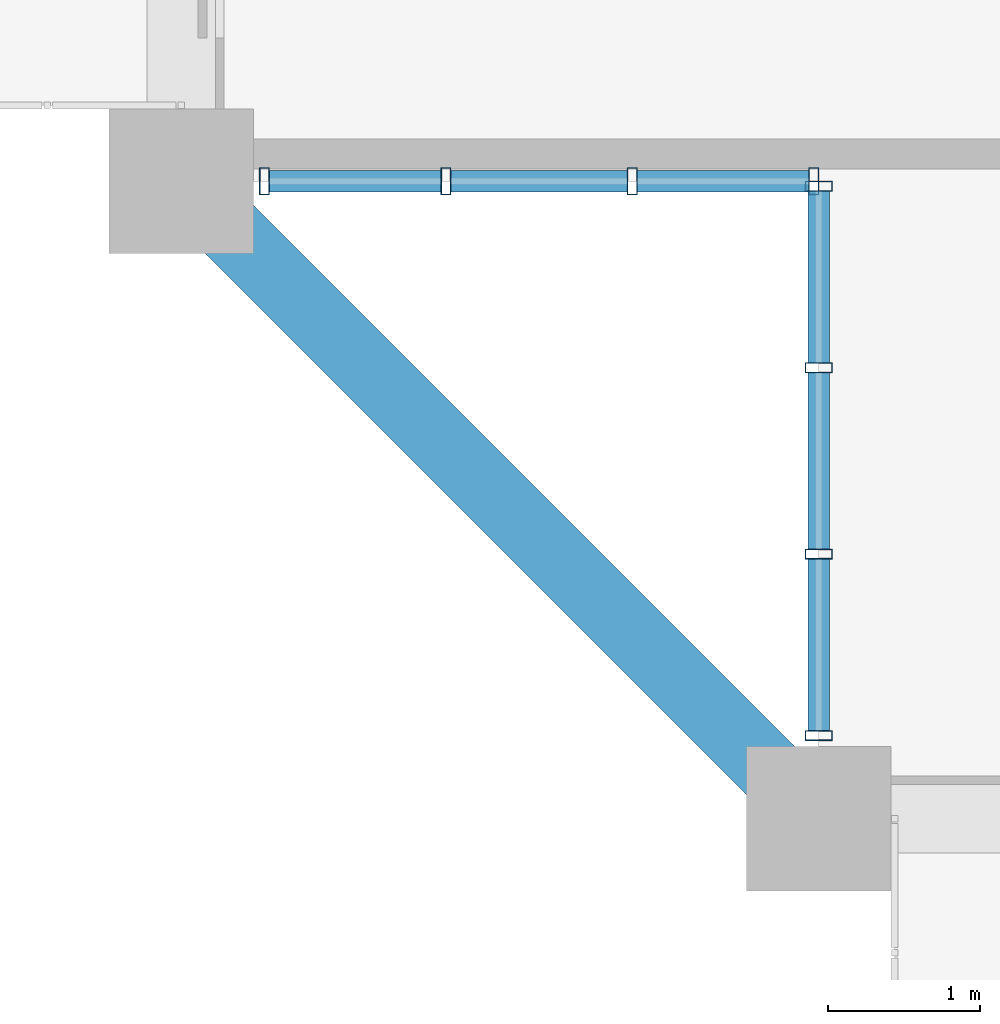
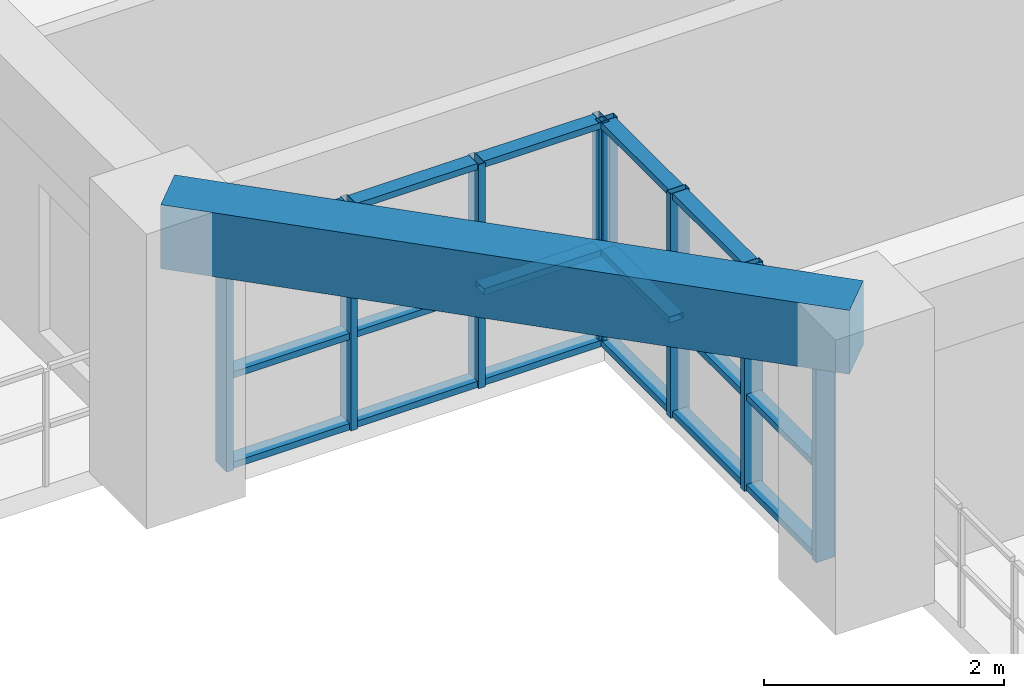
# One storey, part 2 of 26: 26 members, 1 beam, 2 elements without a shape of their own.
"""IFC4 building model written with IfcOpenShell, lengths in metres."""

from ifc_helpers import new_model, si_unit, direction, frame, origin, origin_2d, place, context, subcontext, project, spatial, rectangle, hollow_rectangle, extrude, source, transform, mapped, material, layer, layer_set, material_profile, profile_set, type_object, element, aggregate, save


model = new_model("IFC4")

# Units and contexts
model_context = context("Model", 3, precision=1e-05, world=origin(), true_north=direction((0.0, 1.0)))
body_context = subcontext(model_context, "Body", "Model", "MODEL_VIEW")
ifc_project = project(units=[si_unit("LENGTHUNIT", "METRE"), si_unit("AREAUNIT", "SQUARE_METRE"), si_unit("VOLUMEUNIT", "CUBIC_METRE"), si_unit("PLANEANGLEUNIT", "RADIAN"), si_unit("MASSUNIT", "GRAM", prefix="KILO")], contexts=[model_context])

# Site, building, storey
site_placement = place(None, origin())
site = spatial("IfcSite", under=ifc_project, at=site_placement, CompositionType="ELEMENT")
building_placement = place(site_placement, origin())
building = spatial("IfcBuilding", under=site, at=building_placement, Name="Saelheon Loggia Tower", CompositionType="ELEMENT")
storey_placement = place(building_placement, frame((0.0, 0.0, 116.85009765625)))
storey = spatial("IfcBuildingStorey", under=building, at=storey_placement, Name="L37", CompositionType="ELEMENT", Elevation=116.85009765625)

# Beam
ifc_material_1 = material(Name="Concrete C40/50", Category="concrete")
ifc_material_profile_1 = material_profile(ifc_material_1, rectangle(XDim=0.449951171875, YDim=0.64990234375, at=origin_2d()), Name="RC-450x650")
ifc_profile_set_1 = profile_set([ifc_material_profile_1], Name="Concrete C40/50")
beam_type = type_object("IfcBeamType", Name="Beam_PerimTower_RC450x650", PredefinedType="BEAM", material=ifc_profile_set_1)
shared_shape_1 = source(origin(), body_context, "Body", "SweptSolid", [
    extrude(rectangle(XDim=0.449951171875, YDim=0.64990234375, at=origin_2d()), origin(), (0.0, 0.0, 1.0), 5.939697265625),
])
beam_placement = place(storey_placement, frame((12.0, 7.199951171875, 2.6748046875), z_axis=(0.707106781187, -0.707106781187, 0.0), x_axis=(0.707106781187, 0.707106781187, 0.0)))
element("IfcBeam", 1, at=beam_placement, inside=storey, type_object=beam_type, Name="L37 Perimeter Frame Girder 16", PredefinedType="BEAM", context=body_context, shape_type="MappedRepresentation", body=[
    mapped(shared_shape_1, transform((0.0, 0.0, 0.0), scale=1.0)),
])

# Curtain wall, members
ifc_material_2 = material(Name="Thermal-Break Aluminium and Triple Low-E Glass", Category="aluminium")
ifc_layer = layer(ifc_material_2, 0.159912109375)
ifc_layer_set = layer_set([ifc_layer], Name="Thermal-Break Aluminium and Triple Low-E Glass")
curtain_wall_type = type_object("IfcCurtainWallType", Name="CW_TowerLoggiaLow", PredefinedType="NOTDEFINED", material=ifc_layer_set)
curtain_wall_1_placement = place(storey_placement, origin())
curtain_wall_1 = element("IfcCurtainWall", 2, at=curtain_wall_1_placement, inside=storey, type_object=curtain_wall_type, Name="L37 Corner Notch Glazing SW1", PredefinedType="NOTDEFINED")
ifc_material_3 = material(Name="Anodised Aluminium 6063-T6", Category="aluminium")
ifc_material_profile_2 = material_profile(ifc_material_3, hollow_rectangle(XDim=0.06494140625, YDim=0.179931640625, WallThickness=0.00390625, at=origin_2d()), Name="RHS-180x65x4")
ifc_profile_set_2 = profile_set([ifc_material_profile_2], Name="Anodised Aluminium 6063-T6")
member_type_1 = type_object("IfcMemberType", Name="CW_TowerLoggiaLow_Mullion", PredefinedType="MULLION", material=ifc_profile_set_2)
shared_shape_2 = source(origin(), body_context, "Body", "SweptSolid", [
    extrude(hollow_rectangle(XDim=0.06494140625, YDim=0.179931640625, WallThickness=0.00390625, at=origin_2d()), origin(), (0.0, 0.0, 1.0), 2.27978515625),
])
member_1_placement = place(storey_placement, frame((16.199951171875, 3.547607421875, 0.0), z_axis=(0.0, 0.0, 1.0), x_axis=(0.0, 1.0, 0.0)))
member_1 = element("IfcMember", 3, at=member_1_placement, type_object=member_type_1, Name="CW3 mullion 1", PredefinedType="MULLION", context=body_context, shape_type="MappedRepresentation", body=[
    mapped(shared_shape_2, transform((0.0, 0.0, 0.0), scale=1.0)),
])
member_2_placement = place(storey_placement, frame((16.199951171875, 4.743408203125, 0.0), z_axis=(0.0, 0.0, 1.0), x_axis=(0.0, 1.0, 0.0)))
member_2 = element("IfcMember", 4, at=member_2_placement, type_object=member_type_1, Name="CW3 mullion 2", PredefinedType="MULLION", context=body_context, shape_type="MappedRepresentation", body=[
    mapped(shared_shape_2, transform((0.0, 0.0, 0.0), scale=1.0)),
])
member_3_placement = place(storey_placement, frame((16.199951171875, 5.9716796875, 0.0), z_axis=(0.0, 0.0, 1.0), x_axis=(0.0, 1.0, 0.0)))
member_3 = element("IfcMember", 5, at=member_3_placement, type_object=member_type_1, Name="CW3 mullion 3", PredefinedType="MULLION", context=body_context, shape_type="MappedRepresentation", body=[
    mapped(shared_shape_2, transform((0.0, 0.0, 0.0), scale=1.0)),
])
member_4_placement = place(storey_placement, frame((16.199951171875, 7.16748046875, 0.0), z_axis=(0.0, 0.0, 1.0), x_axis=(0.0, 1.0, 0.0)))
member_4 = element("IfcMember", 6, at=member_4_placement, type_object=member_type_1, Name="CW3 mullion 4", PredefinedType="MULLION", context=body_context, shape_type="MappedRepresentation", body=[
    mapped(shared_shape_2, transform((0.0, 0.0, 0.0), scale=1.0)),
])

curtain_wall_2_placement = place(storey_placement, origin())
curtain_wall_2 = element("IfcCurtainWall", 7, at=curtain_wall_2_placement, inside=storey, type_object=curtain_wall_type, Name="L37 Corner Notch Glazing SW2", PredefinedType="NOTDEFINED")
member_5_placement = place(storey_placement, frame((12.547607421875, 7.199951171875, 0.0), z_axis=(0.0, 0.0, 1.0), x_axis=(1.0, 0.0, 0.0)))
member_5 = element("IfcMember", 8, at=member_5_placement, type_object=member_type_1, Name="CW3 mullion 1", PredefinedType="MULLION", context=body_context, shape_type="MappedRepresentation", body=[
    mapped(shared_shape_2, transform((0.0, 0.0, 0.0), scale=1.0)),
])
member_6_placement = place(storey_placement, frame((13.743408203125, 7.199951171875, 0.0), z_axis=(0.0, 0.0, 1.0), x_axis=(1.0, 0.0, 0.0)))
member_6 = element("IfcMember", 9, at=member_6_placement, type_object=member_type_1, Name="CW3 mullion 2", PredefinedType="MULLION", context=body_context, shape_type="MappedRepresentation", body=[
    mapped(shared_shape_2, transform((0.0, 0.0, 0.0), scale=1.0)),
])
member_7_placement = place(storey_placement, frame((14.9716796875, 7.199951171875, 0.0), z_axis=(0.0, 0.0, 1.0), x_axis=(1.0, 0.0, 0.0)))
member_7 = element("IfcMember", 10, at=member_7_placement, type_object=member_type_1, Name="CW3 mullion 3", PredefinedType="MULLION", context=body_context, shape_type="MappedRepresentation", body=[
    mapped(shared_shape_2, transform((0.0, 0.0, 0.0), scale=1.0)),
])
member_8_placement = place(storey_placement, frame((16.16748046875, 7.199951171875, 0.0), z_axis=(0.0, 0.0, 1.0), x_axis=(1.0, 0.0, 0.0)))
member_8 = element("IfcMember", 11, at=member_8_placement, type_object=member_type_1, Name="CW3 mullion 4", PredefinedType="MULLION", context=body_context, shape_type="MappedRepresentation", body=[
    mapped(shared_shape_2, transform((0.0, 0.0, 0.0), scale=1.0)),
])

# Member
ifc_material_profile_3 = material_profile(ifc_material_3, hollow_rectangle(XDim=0.06494140625, YDim=0.139892578125, WallThickness=0.00390625, at=origin_2d()), Name="RHS-140x65x4")
ifc_profile_set_3 = profile_set([ifc_material_profile_3], Name="Anodised Aluminium 6063-T6")
member_type_2 = type_object("IfcMemberType", Name="CW_TowerLoggiaLow_Transom", PredefinedType="USERDEFINED", material=ifc_profile_set_3)
shared_shape_3 = source(origin(), body_context, "Body", "SweptSolid", [
    extrude(hollow_rectangle(XDim=0.06494140625, YDim=0.139892578125, WallThickness=0.00390625, at=origin_2d()), origin(), (0.0, 0.0, 1.0), 1.130859375),
])
member_9_placement = place(storey_placement, frame((16.199951171875, 3.580078125, 0.032470703125), z_axis=(0.0, 1.0, 0.0), x_axis=(0.0, 0.0, 1.0)))
member_9 = element("IfcMember", 12, at=member_9_placement, type_object=member_type_2, Name="CW3 transom 1.1", ObjectType="TRANSOM", PredefinedType="USERDEFINED", context=body_context, shape_type="MappedRepresentation", body=[
    mapped(shared_shape_3, transform((0.0, 0.0, 0.0), scale=1.0)),
])

member_10_placement = place(storey_placement, frame((16.199951171875, 3.580078125, 0.949951171875), z_axis=(0.0, 1.0, 0.0), x_axis=(0.0, 0.0, 1.0)))
member_10 = element("IfcMember", 13, at=member_10_placement, type_object=member_type_2, Name="CW3 transom 1.2", ObjectType="TRANSOM", PredefinedType="USERDEFINED", context=body_context, shape_type="MappedRepresentation", body=[
    mapped(shared_shape_3, transform((0.0, 0.0, 0.0), scale=1.0)),
])

member_11_placement = place(storey_placement, frame((16.199951171875, 3.580078125, 2.247314453125), z_axis=(0.0, 1.0, 0.0), x_axis=(0.0, 0.0, 1.0)))
member_11 = element("IfcMember", 14, at=member_11_placement, type_object=member_type_2, Name="CW3 transom 1.3", ObjectType="TRANSOM", PredefinedType="USERDEFINED", context=body_context, shape_type="MappedRepresentation", body=[
    mapped(shared_shape_3, transform((0.0, 0.0, 0.0), scale=1.0)),
])

member_12_placement = place(storey_placement, frame((16.199951171875, 6.004150390625, 0.032470703125), z_axis=(0.0, 1.0, 0.0), x_axis=(0.0, 0.0, 1.0)))
member_12 = element("IfcMember", 15, at=member_12_placement, type_object=member_type_2, Name="CW3 transom 3.1", ObjectType="TRANSOM", PredefinedType="USERDEFINED", context=body_context, shape_type="MappedRepresentation", body=[
    mapped(shared_shape_3, transform((0.0, 0.0, 0.0), scale=1.0)),
])

member_13_placement = place(storey_placement, frame((16.199951171875, 6.004150390625, 0.949951171875), z_axis=(0.0, 1.0, 0.0), x_axis=(0.0, 0.0, 1.0)))
member_13 = element("IfcMember", 16, at=member_13_placement, type_object=member_type_2, Name="CW3 transom 3.2", ObjectType="TRANSOM", PredefinedType="USERDEFINED", context=body_context, shape_type="MappedRepresentation", body=[
    mapped(shared_shape_3, transform((0.0, 0.0, 0.0), scale=1.0)),
])

member_14_placement = place(storey_placement, frame((16.199951171875, 6.004150390625, 2.247314453125), z_axis=(0.0, 1.0, 0.0), x_axis=(0.0, 0.0, 1.0)))
member_14 = element("IfcMember", 17, at=member_14_placement, type_object=member_type_2, Name="CW3 transom 3.3", ObjectType="TRANSOM", PredefinedType="USERDEFINED", context=body_context, shape_type="MappedRepresentation", body=[
    mapped(shared_shape_3, transform((0.0, 0.0, 0.0), scale=1.0)),
])

member_15_placement = place(storey_placement, frame((12.580078125, 7.199951171875, 0.032470703125), z_axis=(1.0, 0.0, 0.0), x_axis=(0.0, 0.0, 1.0)))
member_15 = element("IfcMember", 18, at=member_15_placement, type_object=member_type_2, Name="CW3 transom 1.1", ObjectType="TRANSOM", PredefinedType="USERDEFINED", context=body_context, shape_type="MappedRepresentation", body=[
    mapped(shared_shape_3, transform((0.0, 0.0, 0.0), scale=1.0)),
])

member_16_placement = place(storey_placement, frame((12.580078125, 7.199951171875, 0.949951171875), z_axis=(1.0, 0.0, 0.0), x_axis=(0.0, 0.0, 1.0)))
member_16 = element("IfcMember", 19, at=member_16_placement, type_object=member_type_2, Name="CW3 transom 1.2", ObjectType="TRANSOM", PredefinedType="USERDEFINED", context=body_context, shape_type="MappedRepresentation", body=[
    mapped(shared_shape_3, transform((0.0, 0.0, 0.0), scale=1.0)),
])

member_17_placement = place(storey_placement, frame((12.580078125, 7.199951171875, 2.247314453125), z_axis=(1.0, 0.0, 0.0), x_axis=(0.0, 0.0, 1.0)))
member_17 = element("IfcMember", 20, at=member_17_placement, type_object=member_type_2, Name="CW3 transom 1.3", ObjectType="TRANSOM", PredefinedType="USERDEFINED", context=body_context, shape_type="MappedRepresentation", body=[
    mapped(shared_shape_3, transform((0.0, 0.0, 0.0), scale=1.0)),
])

member_18_placement = place(storey_placement, frame((15.004150390625, 7.199951171875, 0.032470703125), z_axis=(1.0, 0.0, 0.0), x_axis=(0.0, 0.0, 1.0)))
member_18 = element("IfcMember", 21, at=member_18_placement, type_object=member_type_2, Name="CW3 transom 3.1", ObjectType="TRANSOM", PredefinedType="USERDEFINED", context=body_context, shape_type="MappedRepresentation", body=[
    mapped(shared_shape_3, transform((0.0, 0.0, 0.0), scale=1.0)),
])

member_19_placement = place(storey_placement, frame((15.004150390625, 7.199951171875, 0.949951171875), z_axis=(1.0, 0.0, 0.0), x_axis=(0.0, 0.0, 1.0)))
member_19 = element("IfcMember", 22, at=member_19_placement, type_object=member_type_2, Name="CW3 transom 3.2", ObjectType="TRANSOM", PredefinedType="USERDEFINED", context=body_context, shape_type="MappedRepresentation", body=[
    mapped(shared_shape_3, transform((0.0, 0.0, 0.0), scale=1.0)),
])

member_20_placement = place(storey_placement, frame((15.004150390625, 7.199951171875, 2.247314453125), z_axis=(1.0, 0.0, 0.0), x_axis=(0.0, 0.0, 1.0)))
member_20 = element("IfcMember", 23, at=member_20_placement, type_object=member_type_2, Name="CW3 transom 3.3", ObjectType="TRANSOM", PredefinedType="USERDEFINED", context=body_context, shape_type="MappedRepresentation", body=[
    mapped(shared_shape_3, transform((0.0, 0.0, 0.0), scale=1.0)),
])

shared_shape_4 = source(origin(), body_context, "Body", "SweptSolid", [
    extrude(hollow_rectangle(XDim=0.06494140625, YDim=0.139892578125, WallThickness=0.00390625, at=origin_2d()), origin(), (0.0, 0.0, 1.0), 1.163330078125),
])
member_21_placement = place(storey_placement, frame((16.199951171875, 4.77587890625, 0.032470703125), z_axis=(0.0, 1.0, 0.0), x_axis=(0.0, 0.0, 1.0)))
member_21 = element("IfcMember", 24, at=member_21_placement, type_object=member_type_2, Name="CW3 transom 2.1", ObjectType="TRANSOM", PredefinedType="USERDEFINED", context=body_context, shape_type="MappedRepresentation", body=[
    mapped(shared_shape_4, transform((0.0, 0.0, 0.0), scale=1.0)),
])

member_22_placement = place(storey_placement, frame((16.199951171875, 4.77587890625, 0.949951171875), z_axis=(0.0, 1.0, 0.0), x_axis=(0.0, 0.0, 1.0)))
member_22 = element("IfcMember", 25, at=member_22_placement, type_object=member_type_2, Name="CW3 transom 2.2", ObjectType="TRANSOM", PredefinedType="USERDEFINED", context=body_context, shape_type="MappedRepresentation", body=[
    mapped(shared_shape_4, transform((0.0, 0.0, 0.0), scale=1.0)),
])

member_23_placement = place(storey_placement, frame((16.199951171875, 4.77587890625, 2.247314453125), z_axis=(0.0, 1.0, 0.0), x_axis=(0.0, 0.0, 1.0)))
member_23 = element("IfcMember", 26, at=member_23_placement, type_object=member_type_2, Name="CW3 transom 2.3", ObjectType="TRANSOM", PredefinedType="USERDEFINED", context=body_context, shape_type="MappedRepresentation", body=[
    mapped(shared_shape_4, transform((0.0, 0.0, 0.0), scale=1.0)),
])

aggregate(curtain_wall_1, [member_1, member_2, member_3, member_4, member_9, member_10, member_11, member_21, member_22, member_23, member_12, member_13, member_14])

member_24_placement = place(storey_placement, frame((13.77587890625, 7.199951171875, 0.032470703125), z_axis=(1.0, 0.0, 0.0), x_axis=(0.0, 0.0, 1.0)))
member_24 = element("IfcMember", 27, at=member_24_placement, type_object=member_type_2, Name="CW3 transom 2.1", ObjectType="TRANSOM", PredefinedType="USERDEFINED", context=body_context, shape_type="MappedRepresentation", body=[
    mapped(shared_shape_4, transform((0.0, 0.0, 0.0), scale=1.0)),
])

member_25_placement = place(storey_placement, frame((13.77587890625, 7.199951171875, 0.949951171875), z_axis=(1.0, 0.0, 0.0), x_axis=(0.0, 0.0, 1.0)))
member_25 = element("IfcMember", 28, at=member_25_placement, type_object=member_type_2, Name="CW3 transom 2.2", ObjectType="TRANSOM", PredefinedType="USERDEFINED", context=body_context, shape_type="MappedRepresentation", body=[
    mapped(shared_shape_4, transform((0.0, 0.0, 0.0), scale=1.0)),
])

member_26_placement = place(storey_placement, frame((13.77587890625, 7.199951171875, 2.247314453125), z_axis=(1.0, 0.0, 0.0), x_axis=(0.0, 0.0, 1.0)))
member_26 = element("IfcMember", 29, at=member_26_placement, type_object=member_type_2, Name="CW3 transom 2.3", ObjectType="TRANSOM", PredefinedType="USERDEFINED", context=body_context, shape_type="MappedRepresentation", body=[
    mapped(shared_shape_4, transform((0.0, 0.0, 0.0), scale=1.0)),
])

aggregate(curtain_wall_2, [member_5, member_6, member_7, member_8, member_15, member_16, member_17, member_24, member_25, member_26, member_18, member_19, member_20])

save(model, "model.ifc")
